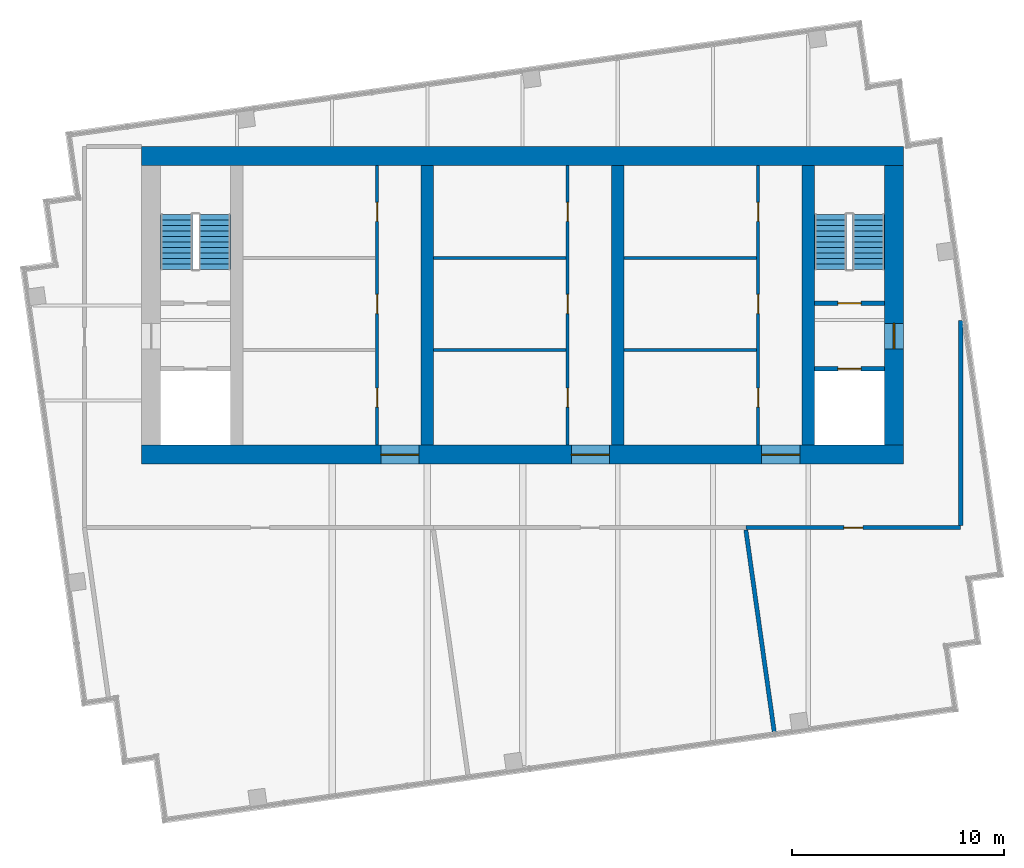
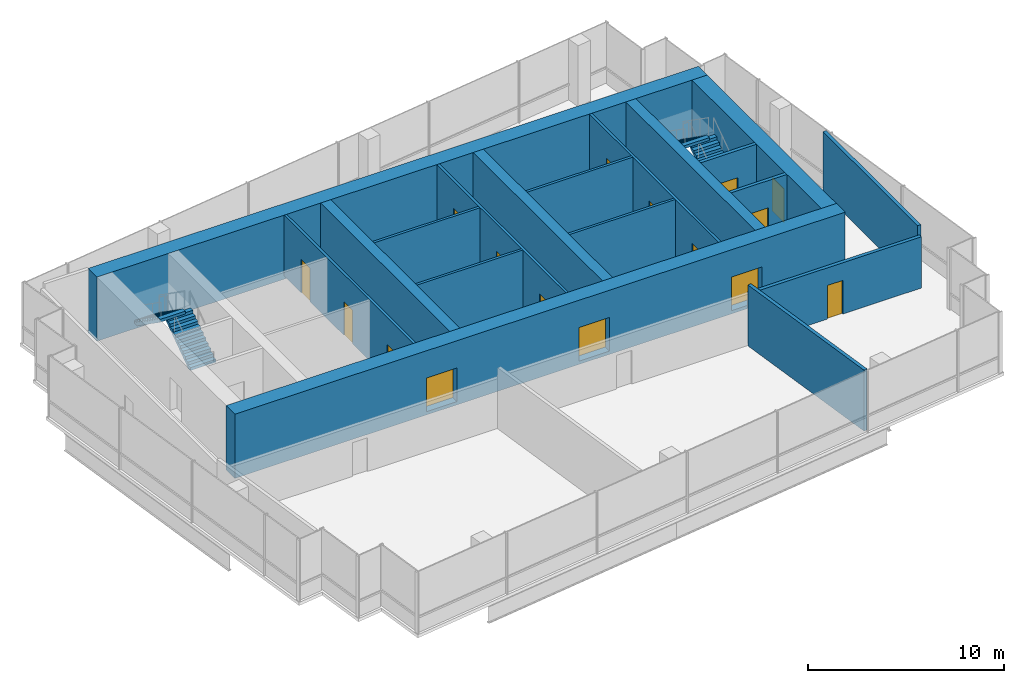
# One storey, part 8 of 9: 18 walls, 16 doors, 4 stair flights, 16 openings, 2 elements without a shape of their own.
"""IFC4 building model written with IfcOpenShell, lengths in metres."""

from ifc_helpers import new_model, si_unit, direction, frame, frame_2d, origin, place, context, subcontext, project, spatial, polyline, rectangle, outline, extrude, material, layer, layer_set, type_object, element, fill, aggregate, save


model = new_model("IFC4")

# Units and contexts
model_context = context("Model", 3, precision=1e-05, world=origin(), true_north=direction((0.0, 1.0)))
body_context = subcontext(model_context, "Body", "Model", "MODEL_VIEW")
ifc_project = project(units=[si_unit("LENGTHUNIT", "METRE"), si_unit("AREAUNIT", "SQUARE_METRE"), si_unit("VOLUMEUNIT", "CUBIC_METRE"), si_unit("PLANEANGLEUNIT", "RADIAN"), si_unit("MASSUNIT", "GRAM", prefix="KILO")], contexts=[model_context])

# Site, building, storey
site_placement = place(None, origin())
site = spatial("IfcSite", under=ifc_project, at=site_placement, CompositionType="ELEMENT")
building_placement = place(site_placement, origin())
building = spatial("IfcBuilding", under=site, at=building_placement, Name="Rattan Terrace Tower", CompositionType="ELEMENT")
storey_placement = place(building_placement, frame((0.0, 0.0, 296.300048828125)))
storey = spatial("IfcBuildingStorey", under=building, at=storey_placement, Name="C02", CompositionType="ELEMENT", Elevation=296.300048828125)

# Wall, openings, doors
ifc_material_1 = material(Name="Gypsum board partition")
ifc_layer_1 = layer(ifc_material_1, 0.14990234375)
ifc_layer_set_1 = layer_set([ifc_layer_1], Name="Core partition 150")
wall_type_1 = type_object("IfcWallType", Name="Core partition 150", PredefinedType="PARTITIONING", material=ifc_layer_set_1)
wall_1_placement = place(storey_placement, frame((-6.875, -6.60009765625, 0.0), z_axis=(0.0, 0.0, 1.0), x_axis=(0.0, 1.0, 0.0)))
wall_1 = element("IfcWall", 1, at=wall_1_placement, inside=storey, type_object=wall_type_1, Name="Core room wall", PredefinedType="PARTITIONING", context=body_context, shape_type="SweptSolid", body=[
    extrude(rectangle(XDim=13.2001953125, YDim=0.14990234375, at=frame_2d((6.60009765625, 0.0))), origin(), (0.0, 0.0, 1.0), 3.800048828125),
])
opening_1_placement = place(wall_1_placement, frame((1.7939453125, 0.0, 0.0)))
opening_1 = element("IfcOpeningElement", 2, at=opening_1_placement, cuts=wall_1, Name="Opening C02-D005", PredefinedType="OPENING", context=body_context, shape_type="SweptSolid", body=[
    extrude(rectangle(XDim=0.89990234375, YDim=2.10009765625, at=frame_2d((0.449951171875, 1.050048828125))), frame((0.0, 0.08544921875, 0.0), z_axis=(0.0, -1.0, 0.0), x_axis=(1.0, 0.0, 0.0)), (0.0, 0.0, 1.0), 0.1708984375),
])
opening_2_placement = place(wall_1_placement, frame((6.216064453125, 0.0, 0.0)))
opening_2 = element("IfcOpeningElement", 3, at=opening_2_placement, cuts=wall_1, Name="Opening C02-D006", PredefinedType="OPENING", context=body_context, shape_type="SweptSolid", body=[
    extrude(rectangle(XDim=0.89990234375, YDim=2.10009765625, at=frame_2d((0.449951171875, 1.050048828125))), frame((0.0, 0.08544921875, 0.0), z_axis=(0.0, -1.0, 0.0), x_axis=(1.0, 0.0, 0.0)), (0.0, 0.0, 1.0), 0.1708984375),
])
opening_3_placement = place(wall_1_placement, frame((10.572021484375, 0.0, 0.0)))
opening_3 = element("IfcOpeningElement", 4, at=opening_3_placement, cuts=wall_1, Name="Opening C02-D007", PredefinedType="OPENING", context=body_context, shape_type="SweptSolid", body=[
    extrude(rectangle(XDim=0.89990234375, YDim=2.10009765625, at=frame_2d((0.449951171875, 1.050048828125))), frame((0.0, 0.08544921875, 0.0), z_axis=(0.0, -1.0, 0.0), x_axis=(1.0, 0.0, 0.0)), (0.0, 0.0, 1.0), 0.1708984375),
])
ifc_material_2 = material(Name="Hollow-metal fire door leaf")
door_type_1 = type_object("IfcDoorType", Name="Core service room door 900", OperationType="NOTDEFINED", PredefinedType="DOOR", material=ifc_material_2)
door_1_placement = place(opening_1_placement, origin())
door_1 = element("IfcDoor", 5, at=door_1_placement, inside=storey, type_object=door_type_1, Name="Door C02-D005", OperationType="SINGLE_SWING_LEFT", OverallHeight=2.10009765625, OverallWidth=0.89990234375, PredefinedType="DOOR", context=body_context, shape_type="SweptSolid", body=[
    extrude(rectangle(XDim=0.89990234375, YDim=2.10009765625, at=frame_2d((0.449951171875, 1.050048828125))), frame((0.0, 0.02490234375, 0.0), z_axis=(0.0, -1.0, 0.0), x_axis=(1.0, 0.0, 0.0)), (0.0, 0.0, 1.0), 0.050048828125),
])
fill(opening_1, door_1)
door_2_placement = place(opening_2_placement, origin())
door_2 = element("IfcDoor", 6, at=door_2_placement, inside=storey, type_object=door_type_1, Name="Door C02-D006", OperationType="SINGLE_SWING_RIGHT", OverallHeight=2.10009765625, OverallWidth=0.89990234375, PredefinedType="DOOR", context=body_context, shape_type="SweptSolid", body=[
    extrude(rectangle(XDim=0.89990234375, YDim=2.10009765625, at=frame_2d((0.449951171875, 1.050048828125))), frame((0.0, 0.02490234375, 0.0), z_axis=(0.0, -1.0, 0.0), x_axis=(1.0, 0.0, 0.0)), (0.0, 0.0, 1.0), 0.050048828125),
])
fill(opening_2, door_2)
door_3_placement = place(opening_3_placement, origin())
door_3 = element("IfcDoor", 7, at=door_3_placement, inside=storey, type_object=door_type_1, Name="Door C02-D007", OperationType="SINGLE_SWING_LEFT", OverallHeight=2.10009765625, OverallWidth=0.89990234375, PredefinedType="DOOR", context=body_context, shape_type="SweptSolid", body=[
    extrude(rectangle(XDim=0.89990234375, YDim=2.10009765625, at=frame_2d((0.449951171875, 1.050048828125))), frame((0.0, 0.02490234375, 0.0), z_axis=(0.0, -1.0, 0.0), x_axis=(1.0, 0.0, 0.0)), (0.0, 0.0, 1.0), 0.050048828125),
])
fill(opening_3, door_3)

wall_2_placement = place(storey_placement, frame((2.125, -6.60009765625, 0.0), z_axis=(0.0, 0.0, 1.0), x_axis=(0.0, 1.0, 0.0)))
wall_2 = element("IfcWall", 8, at=wall_2_placement, inside=storey, type_object=wall_type_1, Name="Core room wall", PredefinedType="PARTITIONING", context=body_context, shape_type="SweptSolid", body=[
    extrude(rectangle(XDim=13.2001953125, YDim=0.14990234375, at=frame_2d((6.60009765625, 0.0))), origin(), (0.0, 0.0, 1.0), 3.800048828125),
])
opening_4_placement = place(wall_2_placement, frame((1.7939453125, 0.0, 0.0)))
opening_4 = element("IfcOpeningElement", 9, at=opening_4_placement, cuts=wall_2, Name="Opening C02-D009", PredefinedType="OPENING", context=body_context, shape_type="SweptSolid", body=[
    extrude(rectangle(XDim=0.89990234375, YDim=2.10009765625, at=frame_2d((0.449951171875, 1.050048828125))), frame((0.0, 0.08544921875, 0.0), z_axis=(0.0, -1.0, 0.0), x_axis=(1.0, 0.0, 0.0)), (0.0, 0.0, 1.0), 0.1708984375),
])
opening_5_placement = place(wall_2_placement, frame((6.216064453125, 0.0, 0.0)))
opening_5 = element("IfcOpeningElement", 10, at=opening_5_placement, cuts=wall_2, Name="Opening C02-D010", PredefinedType="OPENING", context=body_context, shape_type="SweptSolid", body=[
    extrude(rectangle(XDim=0.89990234375, YDim=2.10009765625, at=frame_2d((0.449951171875, 1.050048828125))), frame((0.0, 0.08544921875, 0.0), z_axis=(0.0, -1.0, 0.0), x_axis=(1.0, 0.0, 0.0)), (0.0, 0.0, 1.0), 0.1708984375),
])
opening_6_placement = place(wall_2_placement, frame((10.572021484375, 0.0, 0.0)))
opening_6 = element("IfcOpeningElement", 11, at=opening_6_placement, cuts=wall_2, Name="Opening C02-D011", PredefinedType="OPENING", context=body_context, shape_type="SweptSolid", body=[
    extrude(rectangle(XDim=0.89990234375, YDim=2.10009765625, at=frame_2d((0.449951171875, 1.050048828125))), frame((0.0, 0.08544921875, 0.0), z_axis=(0.0, -1.0, 0.0), x_axis=(1.0, 0.0, 0.0)), (0.0, 0.0, 1.0), 0.1708984375),
])
door_4_placement = place(opening_4_placement, origin())
door_4 = element("IfcDoor", 12, at=door_4_placement, inside=storey, type_object=door_type_1, Name="Door C02-D009", OperationType="SINGLE_SWING_LEFT", OverallHeight=2.10009765625, OverallWidth=0.89990234375, PredefinedType="DOOR", context=body_context, shape_type="SweptSolid", body=[
    extrude(rectangle(XDim=0.89990234375, YDim=2.10009765625, at=frame_2d((0.449951171875, 1.050048828125))), frame((0.0, 0.02490234375, 0.0), z_axis=(0.0, -1.0, 0.0), x_axis=(1.0, 0.0, 0.0)), (0.0, 0.0, 1.0), 0.050048828125),
])
fill(opening_4, door_4)
door_5_placement = place(opening_5_placement, origin())
door_5 = element("IfcDoor", 13, at=door_5_placement, inside=storey, type_object=door_type_1, Name="Door C02-D010", OperationType="SINGLE_SWING_RIGHT", OverallHeight=2.10009765625, OverallWidth=0.89990234375, PredefinedType="DOOR", context=body_context, shape_type="SweptSolid", body=[
    extrude(rectangle(XDim=0.89990234375, YDim=2.10009765625, at=frame_2d((0.449951171875, 1.050048828125))), frame((0.0, 0.02490234375, 0.0), z_axis=(0.0, -1.0, 0.0), x_axis=(1.0, 0.0, 0.0)), (0.0, 0.0, 1.0), 0.050048828125),
])
fill(opening_5, door_5)
door_6_placement = place(opening_6_placement, origin())
door_6 = element("IfcDoor", 14, at=door_6_placement, inside=storey, type_object=door_type_1, Name="Door C02-D011", OperationType="SINGLE_SWING_LEFT", OverallHeight=2.10009765625, OverallWidth=0.89990234375, PredefinedType="DOOR", context=body_context, shape_type="SweptSolid", body=[
    extrude(rectangle(XDim=0.89990234375, YDim=2.10009765625, at=frame_2d((0.449951171875, 1.050048828125))), frame((0.0, 0.02490234375, 0.0), z_axis=(0.0, -1.0, 0.0), x_axis=(1.0, 0.0, 0.0)), (0.0, 0.0, 1.0), 0.050048828125),
])
fill(opening_6, door_6)

# Walls
for number, where, z_axis, x_axis, name in (
    (15, (-4.199951171875, -2.112060546875, 0.0), (0.0, 0.0, 1.0), (1.0, 0.0, 0.0), "Core room wall"),
    (16, (-4.199951171875, 2.243896484375, 0.0), (0.0, 0.0, 1.0), (1.0, 0.0, 0.0), "Core room wall"),
):
    element("IfcWall", number, at=place(storey_placement, frame(where, z_axis=z_axis, x_axis=x_axis)), inside=storey, type_object=wall_type_1, Name=name, PredefinedType="PARTITIONING", context=body_context, shape_type="SweptSolid", body=[
        extrude(rectangle(XDim=6.25, YDim=0.14990234375, at=frame_2d((3.125, 0.0))), origin(), (0.0, 0.0, 1.0), 3.800048828125),
    ])

# Wall, openings, doors
wall_3_placement = place(storey_placement, frame((11.125, -6.60009765625, 0.0), z_axis=(0.0, 0.0, 1.0), x_axis=(0.0, 1.0, 0.0)))
wall_3 = element("IfcWall", 17, at=wall_3_placement, inside=storey, type_object=wall_type_1, Name="Core room wall", PredefinedType="PARTITIONING", context=body_context, shape_type="SweptSolid", body=[
    extrude(rectangle(XDim=13.2001953125, YDim=0.14990234375, at=frame_2d((6.60009765625, 0.0))), origin(), (0.0, 0.0, 1.0), 3.800048828125),
])
opening_7_placement = place(wall_3_placement, frame((1.7939453125, 0.0, 0.0)))
opening_7 = element("IfcOpeningElement", 18, at=opening_7_placement, cuts=wall_3, Name="Opening C02-D013", PredefinedType="OPENING", context=body_context, shape_type="SweptSolid", body=[
    extrude(rectangle(XDim=0.89990234375, YDim=2.10009765625, at=frame_2d((0.449951171875, 1.050048828125))), frame((0.0, 0.08544921875, 0.0), z_axis=(0.0, -1.0, 0.0), x_axis=(1.0, 0.0, 0.0)), (0.0, 0.0, 1.0), 0.1708984375),
])
opening_8_placement = place(wall_3_placement, frame((6.216064453125, 0.0, 0.0)))
opening_8 = element("IfcOpeningElement", 19, at=opening_8_placement, cuts=wall_3, Name="Opening C02-D014", PredefinedType="OPENING", context=body_context, shape_type="SweptSolid", body=[
    extrude(rectangle(XDim=0.89990234375, YDim=2.10009765625, at=frame_2d((0.449951171875, 1.050048828125))), frame((0.0, 0.08544921875, 0.0), z_axis=(0.0, -1.0, 0.0), x_axis=(1.0, 0.0, 0.0)), (0.0, 0.0, 1.0), 0.1708984375),
])
opening_9_placement = place(wall_3_placement, frame((10.572021484375, 0.0, 0.0)))
opening_9 = element("IfcOpeningElement", 20, at=opening_9_placement, cuts=wall_3, Name="Opening C02-D015", PredefinedType="OPENING", context=body_context, shape_type="SweptSolid", body=[
    extrude(rectangle(XDim=0.89990234375, YDim=2.10009765625, at=frame_2d((0.449951171875, 1.050048828125))), frame((0.0, 0.08544921875, 0.0), z_axis=(0.0, -1.0, 0.0), x_axis=(1.0, 0.0, 0.0)), (0.0, 0.0, 1.0), 0.1708984375),
])
door_7_placement = place(opening_7_placement, origin())
door_7 = element("IfcDoor", 21, at=door_7_placement, inside=storey, type_object=door_type_1, Name="Door C02-D013", OperationType="SINGLE_SWING_LEFT", OverallHeight=2.10009765625, OverallWidth=0.89990234375, PredefinedType="DOOR", context=body_context, shape_type="SweptSolid", body=[
    extrude(rectangle(XDim=0.89990234375, YDim=2.10009765625, at=frame_2d((0.449951171875, 1.050048828125))), frame((0.0, 0.02490234375, 0.0), z_axis=(0.0, -1.0, 0.0), x_axis=(1.0, 0.0, 0.0)), (0.0, 0.0, 1.0), 0.050048828125),
])
fill(opening_7, door_7)
door_8_placement = place(opening_8_placement, origin())
door_8 = element("IfcDoor", 22, at=door_8_placement, inside=storey, type_object=door_type_1, Name="Door C02-D014", OperationType="SINGLE_SWING_RIGHT", OverallHeight=2.10009765625, OverallWidth=0.89990234375, PredefinedType="DOOR", context=body_context, shape_type="SweptSolid", body=[
    extrude(rectangle(XDim=0.89990234375, YDim=2.10009765625, at=frame_2d((0.449951171875, 1.050048828125))), frame((0.0, 0.02490234375, 0.0), z_axis=(0.0, -1.0, 0.0), x_axis=(1.0, 0.0, 0.0)), (0.0, 0.0, 1.0), 0.050048828125),
])
fill(opening_8, door_8)
door_9_placement = place(opening_9_placement, origin())
door_9 = element("IfcDoor", 23, at=door_9_placement, inside=storey, type_object=door_type_1, Name="Door C02-D015", OperationType="SINGLE_SWING_LEFT", OverallHeight=2.10009765625, OverallWidth=0.89990234375, PredefinedType="DOOR", context=body_context, shape_type="SweptSolid", body=[
    extrude(rectangle(XDim=0.89990234375, YDim=2.10009765625, at=frame_2d((0.449951171875, 1.050048828125))), frame((0.0, 0.02490234375, 0.0), z_axis=(0.0, -1.0, 0.0), x_axis=(1.0, 0.0, 0.0)), (0.0, 0.0, 1.0), 0.050048828125),
])
fill(opening_9, door_9)

# Walls
for number, where, z_axis, x_axis, name in (
    (24, (4.800048828125, -2.112060546875, 0.0), (0.0, 0.0, 1.0), (1.0, 0.0, 0.0), "Core room wall"),
    (25, (4.800048828125, 2.243896484375, 0.0), (0.0, 0.0, 1.0), (1.0, 0.0, 0.0), "Core room wall"),
):
    element("IfcWall", number, at=place(storey_placement, frame(where, z_axis=z_axis, x_axis=x_axis)), inside=storey, type_object=wall_type_1, Name=name, PredefinedType="PARTITIONING", context=body_context, shape_type="SweptSolid", body=[
        extrude(rectangle(XDim=6.25, YDim=0.14990234375, at=frame_2d((3.125, 0.0))), origin(), (0.0, 0.0, 1.0), 3.800048828125),
    ])

# Wall, opening, door
ifc_material_3 = material(Name="Gypsum board partition")
ifc_layer_2 = layer(ifc_material_3, 0.199951171875)
ifc_layer_set_2 = layer_set([ifc_layer_2], Name="Core partition 200")
wall_type_2 = type_object("IfcWallType", Name="Core partition 200", PredefinedType="PARTITIONING", material=ifc_layer_set_2)
wall_4_placement = place(storey_placement, frame((13.800048828125, -3.0, 0.0), z_axis=(0.0, 0.0, 1.0), x_axis=(1.0, 0.0, 0.0)))
wall_4 = element("IfcWall", 26, at=wall_4_placement, inside=storey, type_object=wall_type_2, Name="Fire-fighting lobby wall", PredefinedType="PARTITIONING", context=body_context, shape_type="SweptSolid", body=[
    extrude(rectangle(XDim=3.300048828125, YDim=0.199951171875, at=frame_2d((1.64990234375, 0.0))), origin(), (0.0, 0.0, 1.0), 3.800048828125),
])
opening_10_placement = place(wall_4_placement, frame((1.10009765625, 0.0, 0.0)))
opening_10 = element("IfcOpeningElement", 27, at=opening_10_placement, cuts=wall_4, Name="Opening C02-LD-FF2", PredefinedType="OPENING", context=body_context, shape_type="SweptSolid", body=[
    extrude(rectangle(XDim=1.10009765625, YDim=2.10009765625, at=frame_2d((0.550048828125, 1.050048828125))), frame((0.0, 0.110595703125, 0.0), z_axis=(0.0, -1.0, 0.0), x_axis=(1.0, 0.0, 0.0)), (0.0, 0.0, 1.0), 0.220947265625),
])
ifc_material_4 = material(Name="Brushed stainless landing door panel")
door_type_2 = type_object("IfcDoorType", Name="Core lift landing door 1100", OperationType="DOUBLE_DOOR_SLIDING", PredefinedType="DOOR", material=ifc_material_4)
door_10_placement = place(opening_10_placement, origin())
door_10 = element("IfcDoor", 28, at=door_10_placement, inside=storey, type_object=door_type_2, Name="Door C02-LD-FF2", OperationType="DOUBLE_DOOR_SLIDING", OverallHeight=2.10009765625, OverallWidth=1.10009765625, PredefinedType="DOOR", context=body_context, shape_type="SweptSolid", body=[
    extrude(rectangle(XDim=1.10009765625, YDim=2.10009765625, at=frame_2d((0.550048828125, 1.050048828125))), frame((0.0, 0.02490234375, 0.0), z_axis=(0.0, -1.0, 0.0), x_axis=(1.0, 0.0, 0.0)), (0.0, 0.0, 1.0), 0.050048828125),
])
fill(opening_10, door_10)

wall_5_placement = place(storey_placement, frame((13.800048828125, 0.10009765625, 0.0), z_axis=(0.0, 0.0, 1.0), x_axis=(1.0, 0.0, 0.0)))
wall_5 = element("IfcWall", 29, at=wall_5_placement, inside=storey, type_object=wall_type_2, Name="Stair enclosure wall", PredefinedType="PARTITIONING", context=body_context, shape_type="SweptSolid", body=[
    extrude(rectangle(XDim=3.300048828125, YDim=0.199951171875, at=frame_2d((1.64990234375, 0.0))), origin(), (0.0, 0.0, 1.0), 3.800048828125),
])
opening_11_placement = place(wall_5_placement, frame((1.10009765625, 0.0, 0.0)))
opening_11 = element("IfcOpeningElement", 30, at=opening_11_placement, cuts=wall_5, Name="Opening C02-D004", PredefinedType="OPENING", context=body_context, shape_type="SweptSolid", body=[
    extrude(rectangle(XDim=1.10009765625, YDim=2.10009765625, at=frame_2d((0.550048828125, 1.050048828125))), frame((0.0, 0.110595703125, 0.0), z_axis=(0.0, -1.0, 0.0), x_axis=(1.0, 0.0, 0.0)), (0.0, 0.0, 1.0), 0.220947265625),
])
ifc_material_5 = material(Name="Hollow-metal fire door leaf")
door_type_3 = type_object("IfcDoorType", Name="Core stair door 1100", OperationType="NOTDEFINED", PredefinedType="DOOR", material=ifc_material_5)
door_11_placement = place(opening_11_placement, origin())
door_11 = element("IfcDoor", 31, at=door_11_placement, inside=storey, type_object=door_type_3, Name="Door C02-D004", OperationType="SINGLE_SWING_RIGHT", OverallHeight=2.10009765625, OverallWidth=1.10009765625, PredefinedType="DOOR", context=body_context, shape_type="SweptSolid", body=[
    extrude(rectangle(XDim=1.10009765625, YDim=2.10009765625, at=frame_2d((0.550048828125, 1.050048828125))), frame((0.0, 0.02490234375, 0.0), z_axis=(0.0, -1.0, 0.0), x_axis=(1.0, 0.0, 0.0)), (0.0, 0.0, 1.0), 0.050048828125),
])
fill(opening_11, door_11)

# Wall, openings, doors
ifc_material_6 = material(Name="Concrete C50/60", Category="concrete")
ifc_layer_3 = layer(ifc_material_6, 0.89990234375)
ifc_layer_set_3 = layer_set([ifc_layer_3], Name="Core ring wall 900 C50/60")
wall_type_3 = type_object("IfcWallType", Name="Core ring wall 900 C50/60", PredefinedType="SHEAR", material=ifc_layer_set_3)
wall_6_placement = place(storey_placement, frame((-18.0, -7.050048828125, -0.199951171875), z_axis=(0.0, 0.0, 1.0), x_axis=(1.0, 0.0, 0.0)))
wall_6 = element("IfcWall", 32, at=wall_6_placement, inside=storey, type_object=wall_type_3, Name="Rear core wall south", PredefinedType="SHEAR", context=body_context, shape_type="SweptSolid", body=[
    extrude(rectangle(XDim=36.0, YDim=0.89990234375, at=frame_2d((18.0, 0.0))), origin(), (0.0, 0.0, 1.0), 4.0),
])
opening_12_placement = place(wall_6_placement, frame((11.300048828125, 0.0, 0.199951171875)))
opening_12 = element("IfcOpeningElement", 33, at=opening_12_placement, cuts=wall_6, Name="Opening C02-D008", PredefinedType="OPENING", context=body_context, shape_type="SweptSolid", body=[
    extrude(rectangle(XDim=1.800048828125, YDim=2.10009765625, at=frame_2d((0.89990234375, 1.050048828125))), frame((0.0, 0.46044921875, 0.0), z_axis=(0.0, -1.0, 0.0), x_axis=(1.0, 0.0, 0.0)), (0.0, 0.0, 1.0), 0.9208984375),
])
opening_13_placement = place(wall_6_placement, frame((20.300048828125, 0.0, 0.199951171875)))
opening_13 = element("IfcOpeningElement", 34, at=opening_13_placement, cuts=wall_6, Name="Opening C02-D012", PredefinedType="OPENING", context=body_context, shape_type="SweptSolid", body=[
    extrude(rectangle(XDim=1.800048828125, YDim=2.10009765625, at=frame_2d((0.89990234375, 1.050048828125))), frame((0.0, 0.46044921875, 0.0), z_axis=(0.0, -1.0, 0.0), x_axis=(1.0, 0.0, 0.0)), (0.0, 0.0, 1.0), 0.9208984375),
])
opening_14_placement = place(wall_6_placement, frame((29.300048828125, 0.0, 0.199951171875)))
opening_14 = element("IfcOpeningElement", 35, at=opening_14_placement, cuts=wall_6, Name="Opening C02-D016", PredefinedType="OPENING", context=body_context, shape_type="SweptSolid", body=[
    extrude(rectangle(XDim=1.800048828125, YDim=2.10009765625, at=frame_2d((0.89990234375, 1.050048828125))), frame((0.0, 0.46044921875, 0.0), z_axis=(0.0, -1.0, 0.0), x_axis=(1.0, 0.0, 0.0)), (0.0, 0.0, 1.0), 0.9208984375),
])
ifc_material_7 = material(Name="Hollow-metal fire door leaf")
door_type_4 = type_object("IfcDoorType", Name="Core service room door 1800", OperationType="NOTDEFINED", PredefinedType="DOOR", material=ifc_material_7)
door_12_placement = place(opening_12_placement, origin())
door_12 = element("IfcDoor", 36, at=door_12_placement, inside=storey, type_object=door_type_4, Name="Door C02-D008", OperationType="SINGLE_SWING_RIGHT", OverallHeight=2.10009765625, OverallWidth=1.800048828125, PredefinedType="DOOR", context=body_context, shape_type="SweptSolid", body=[
    extrude(rectangle(XDim=1.800048828125, YDim=2.10009765625, at=frame_2d((0.89990234375, 1.050048828125))), frame((0.0, 0.02490234375, 0.0), z_axis=(0.0, -1.0, 0.0), x_axis=(1.0, 0.0, 0.0)), (0.0, 0.0, 1.0), 0.050048828125),
])
fill(opening_12, door_12)
door_13_placement = place(opening_13_placement, origin())
door_13 = element("IfcDoor", 37, at=door_13_placement, inside=storey, type_object=door_type_4, Name="Door C02-D012", OperationType="SINGLE_SWING_RIGHT", OverallHeight=2.10009765625, OverallWidth=1.800048828125, PredefinedType="DOOR", context=body_context, shape_type="SweptSolid", body=[
    extrude(rectangle(XDim=1.800048828125, YDim=2.10009765625, at=frame_2d((0.89990234375, 1.050048828125))), frame((0.0, 0.02490234375, 0.0), z_axis=(0.0, -1.0, 0.0), x_axis=(1.0, 0.0, 0.0)), (0.0, 0.0, 1.0), 0.050048828125),
])
fill(opening_13, door_13)
door_14_placement = place(opening_14_placement, origin())
door_14 = element("IfcDoor", 38, at=door_14_placement, inside=storey, type_object=door_type_4, Name="Door C02-D016", OperationType="SINGLE_SWING_RIGHT", OverallHeight=2.10009765625, OverallWidth=1.800048828125, PredefinedType="DOOR", context=body_context, shape_type="SweptSolid", body=[
    extrude(rectangle(XDim=1.800048828125, YDim=2.10009765625, at=frame_2d((0.89990234375, 1.050048828125))), frame((0.0, 0.02490234375, 0.0), z_axis=(0.0, -1.0, 0.0), x_axis=(1.0, 0.0, 0.0)), (0.0, 0.0, 1.0), 0.050048828125),
])
fill(opening_14, door_14)

# Wall
wall_7_placement = place(storey_placement, frame((-18.0, 7.050048828125, -0.199951171875), z_axis=(0.0, 0.0, 1.0), x_axis=(1.0, 0.0, 0.0)))
element("IfcWall", 39, at=wall_7_placement, inside=storey, type_object=wall_type_3, Name="Rear core wall north", PredefinedType="SHEAR", context=body_context, shape_type="SweptSolid", body=[
    extrude(rectangle(XDim=36.0, YDim=0.89990234375, at=frame_2d((18.0, 0.0))), origin(), (0.0, 0.0, 1.0), 4.0),
])

# Wall, opening, door
wall_8_placement = place(storey_placement, frame((17.550048828125, -6.60009765625, -0.199951171875), z_axis=(0.0, 0.0, 1.0), x_axis=(0.0, 1.0, 0.0)))
wall_8 = element("IfcWall", 40, at=wall_8_placement, inside=storey, type_object=wall_type_3, Name="Rear core wall east", PredefinedType="SHEAR", context=body_context, shape_type="SweptSolid", body=[
    extrude(rectangle(XDim=13.2001953125, YDim=0.89990234375, at=frame_2d((6.60009765625, 0.0))), origin(), (0.0, 0.0, 1.0), 4.0),
])
opening_15_placement = place(wall_8_placement, frame((4.550048828125, 0.0, 0.199951171875)))
opening_15 = element("IfcOpeningElement", 41, at=opening_15_placement, cuts=wall_8, Name="Opening C02-D003", PredefinedType="OPENING", context=body_context, shape_type="SweptSolid", body=[
    extrude(rectangle(XDim=1.199951171875, YDim=2.10009765625, at=frame_2d((0.60009765625, 1.050048828125))), frame((0.0, 0.46044921875, 0.0), z_axis=(0.0, -1.0, 0.0), x_axis=(1.0, 0.0, 0.0)), (0.0, 0.0, 1.0), 0.9208984375),
])
ifc_material_8 = material(Name="Hollow-metal fire door leaf")
door_type_5 = type_object("IfcDoorType", Name="Core fire-fighting lobby door 1200", OperationType="NOTDEFINED", PredefinedType="DOOR", material=ifc_material_8)
door_15_placement = place(opening_15_placement, origin())
door_15 = element("IfcDoor", 42, at=door_15_placement, inside=storey, type_object=door_type_5, Name="Door C02-D003", OperationType="SINGLE_SWING_LEFT", OverallHeight=2.10009765625, OverallWidth=1.199951171875, PredefinedType="DOOR", context=body_context, shape_type="SweptSolid", body=[
    extrude(rectangle(XDim=1.199951171875, YDim=2.10009765625, at=frame_2d((0.60009765625, 1.050048828125))), frame((0.0, 0.02490234375, 0.0), z_axis=(0.0, -1.0, 0.0), x_axis=(1.0, 0.0, 0.0)), (0.0, 0.0, 1.0), 0.050048828125),
])
fill(opening_15, door_15)

# Walls
ifc_material_9 = material(Name="Concrete C50/60", Category="concrete")
ifc_layer_4 = layer(ifc_material_9, 0.60009765625)
ifc_layer_set_4 = layer_set([ifc_layer_4], Name="Core spine wall 600 C50/60")
wall_type_4 = type_object("IfcWallType", Name="Core spine wall 600 C50/60", PredefinedType="SHEAR", material=ifc_layer_set_4)
for number, where, z_axis, x_axis, name in (
    (43, (-4.5, -6.60009765625, -0.199951171875), (0.0, 0.0, 1.0), (0.0, 1.0, 0.0), "Core spine wall 2"),
    (44, (4.5, -6.60009765625, -0.199951171875), (0.0, 0.0, 1.0), (0.0, 1.0, 0.0), "Core spine wall 3"),
    (45, (13.5, -6.60009765625, -0.199951171875), (0.0, 0.0, 1.0), (0.0, 1.0, 0.0), "Core spine wall 4"),
):
    element("IfcWall", number, at=place(storey_placement, frame(where, z_axis=z_axis, x_axis=x_axis)), inside=storey, type_object=wall_type_4, Name=name, PredefinedType="SHEAR", context=body_context, shape_type="SweptSolid", body=[
        extrude(rectangle(XDim=13.2001953125, YDim=0.60009765625, at=frame_2d((6.60009765625, 0.0))), origin(), (0.0, 0.0, 1.0), 4.0),
    ])
ifc_material_10 = material(Name="Concrete block wall, plastered", Category="concrete")
ifc_layer_5 = layer(ifc_material_10, 0.199951171875)
ifc_layer_set_5 = layer_set([ifc_layer_5], Name="Floors Plant Wall 200")
wall_type_5 = type_object("IfcWallType", Name="Floors Plant Wall 200", PredefinedType="PARTITIONING", material=ifc_layer_set_5)
wall_9_placement = place(storey_placement, frame((20.698974609375, -0.715087890625, 0.0), z_axis=(0.0, 0.0, 1.0), x_axis=(0.0, -1.0, 0.0)))
element("IfcWall", 46, at=wall_9_placement, inside=storey, type_object=wall_type_5, Name="pt-C02-003", PredefinedType="PARTITIONING", context=body_context, shape_type="SweptSolid", body=[
    extrude(rectangle(XDim=9.684814453125, YDim=0.199951171875, at=frame_2d((4.84228515625, 0.0))), origin(), (0.0, 0.0, 1.0), 3.800048828125),
])

# Wall, opening, door
wall_10_placement = place(storey_placement, frame((20.699951171875, -10.5, 0.0), z_axis=(0.0, 0.0, 1.0), x_axis=(-1.0, 0.0, 0.0)))
wall_10 = element("IfcWall", 47, at=wall_10_placement, inside=storey, type_object=wall_type_5, Name="pt-C02-004", PredefinedType="PARTITIONING", context=body_context, shape_type="SweptSolid", body=[
    extrude(rectangle(XDim=10.14599609375, YDim=0.199951171875, at=frame_2d((5.072998046875, 0.0))), origin(), (0.0, 0.0, 1.0), 3.199951171875),
])
opening_16_placement = place(wall_10_placement, frame((4.623046875, 0.0, 0.0)))
opening_16 = element("IfcOpeningElement", 48, at=opening_16_placement, cuts=wall_10, Name="Opening C02-D102", PredefinedType="OPENING", context=body_context, shape_type="SweptSolid", body=[
    extrude(rectangle(XDim=0.89990234375, YDim=2.10009765625, at=frame_2d((0.449951171875, 1.050048828125))), frame((0.0, 0.110595703125, 0.0), z_axis=(0.0, -1.0, 0.0), x_axis=(1.0, 0.0, 0.0)), (0.0, 0.0, 1.0), 0.220947265625),
])
ifc_material_11 = material(Name="Steel fire door set", Category="steel")
door_type_6 = type_object("IfcDoorType", Name="Floors Fire Door FD60 900x2100", OperationType="NOTDEFINED", PredefinedType="DOOR", material=ifc_material_11)
door_16_placement = place(opening_16_placement, origin())
door_16 = element("IfcDoor", 49, at=door_16_placement, inside=storey, type_object=door_type_6, Name="d-C02-102", OperationType="SINGLE_SWING_LEFT", OverallHeight=2.10009765625, OverallWidth=0.89990234375, PredefinedType="DOOR", context=body_context, shape_type="SweptSolid", body=[
    extrude(rectangle(XDim=0.89990234375, YDim=2.10009765625, at=frame_2d((0.449951171875, 1.050048828125))), frame((0.0, 0.02490234375, 0.0), z_axis=(0.0, -1.0, 0.0), x_axis=(1.0, 0.0, 0.0)), (0.0, 0.0, 1.0), 0.050048828125),
])
fill(opening_16, door_16)

# Wall
wall_11_placement = place(storey_placement, frame((10.550048828125, -10.614013671875, 0.0), z_axis=(0.0, 0.0, 1.0), x_axis=(0.139161669219, -0.990269675301, 0.0)))
element("IfcWall", 50, at=wall_11_placement, inside=storey, type_object=wall_type_5, Name="pt-C02-009", PredefinedType="PARTITIONING", context=body_context, shape_type="SweptSolid", body=[
    extrude(rectangle(XDim=9.63671875, YDim=0.199951171875, at=frame_2d((4.818359375, 0.0))), origin(), (0.0, 0.0, 1.0), 3.800048828125),
])

# Stair, stair flights
ifc_material_12 = material(Name="Concrete C40/50", Category="concrete")
stair_type = type_object("IfcStairType", Name="Core exit stair 1500", PredefinedType="HALF_TURN_STAIR", material=ifc_material_12)
stair_1_placement = place(storey_placement, origin())
stair_1 = element("IfcStair", 51, at=stair_1_placement, inside=storey, type_object=stair_type, Name="C02 exit stair 1", PredefinedType="HALF_TURN_STAIR")
ifc_material_13 = material(Name="Concrete C40/50", Category="concrete")
stair_flight_type = type_object("IfcStairFlightType", Name="Core exit stair flight 1500", PredefinedType="STRAIGHT", material=ifc_material_13)
stair_flight_1_placement = place(storey_placement, frame((-14.550048828125, 1.699951171875, 0.0), z_axis=(0.0, 0.0, 1.0), x_axis=(0.0, 1.0, 0.0)))
stair_flight_1 = element("IfcStairFlight", 52, at=stair_flight_1_placement, type_object=stair_flight_type, Name="S1 flight 1", NumberOfRisers=11, NumberOfTreads=10, PredefinedType="STRAIGHT", RiserHeight=0.181818182, TreadLength=0.26, context=body_context, shape_type="SweptSolid", body=[
    extrude(outline(polyline([(0.0, 0.0), (0.0, 0.181884765625), (0.260009765625, 0.181884765625), (0.260009765625, 0.363525390625), (0.52001953125, 0.363525390625), (0.52001953125, 0.54541015625), (0.780029296875, 0.54541015625), (0.780029296875, 0.727294921875), (1.0400390625, 0.727294921875), (1.0400390625, 0.9091796875), (1.300048828125, 0.9091796875), (1.300048828125, 1.0908203125), (1.56005859375, 1.0908203125), (1.56005859375, 1.272705078125), (1.820068359375, 1.272705078125), (1.820068359375, 1.45458984375), (2.080078125, 1.45458984375), (2.080078125, 1.636474609375), (2.340087890625, 1.636474609375), (2.340087890625, 1.818115234375), (2.60009765625, 1.818115234375), (2.60009765625, 2.0), (2.60009765625, 1.63525390625), (0.261474609375, 0.0), (0.0, 0.0)])), frame((0.0, 0.75, 0.0), z_axis=(0.0, -1.0, 0.0), x_axis=(1.0, 0.0, 0.0)), (0.0, 0.0, 1.0), 1.5),
])
stair_flight_2_placement = place(storey_placement, frame((-16.35009765625, 4.300048828125, 2.0), z_axis=(0.0, 0.0, 1.0), x_axis=(0.0, -1.0, 0.0)))
stair_flight_2 = element("IfcStairFlight", 53, at=stair_flight_2_placement, type_object=stair_flight_type, Name="S1 flight 2", NumberOfRisers=11, NumberOfTreads=10, PredefinedType="STRAIGHT", RiserHeight=0.181818182, TreadLength=0.26, context=body_context, shape_type="SweptSolid", body=[
    extrude(outline(polyline([(0.0, 0.0), (0.0, 0.181884765625), (0.260009765625, 0.181884765625), (0.260009765625, 0.363525390625), (0.52001953125, 0.363525390625), (0.52001953125, 0.54541015625), (0.780029296875, 0.54541015625), (0.780029296875, 0.727294921875), (1.0400390625, 0.727294921875), (1.0400390625, 0.9091796875), (1.300048828125, 0.9091796875), (1.300048828125, 1.0908203125), (1.56005859375, 1.0908203125), (1.56005859375, 1.272705078125), (1.820068359375, 1.272705078125), (1.820068359375, 1.45458984375), (2.080078125, 1.45458984375), (2.080078125, 1.636474609375), (2.340087890625, 1.636474609375), (2.340087890625, 1.818115234375), (2.60009765625, 1.818115234375), (2.60009765625, 2.0), (2.60009765625, 1.63525390625), (0.261474609375, 0.0), (0.0, 0.0)])), frame((0.0, 0.75, 0.0), z_axis=(0.0, -1.0, 0.0), x_axis=(1.0, 0.0, 0.0)), (0.0, 0.0, 1.0), 1.5),
])
aggregate(stair_1, [stair_flight_1, stair_flight_2])

stair_2_placement = place(storey_placement, origin())
stair_2 = element("IfcStair", 54, at=stair_2_placement, inside=storey, type_object=stair_type, Name="C02 exit stair 2", PredefinedType="HALF_TURN_STAIR")
stair_flight_3_placement = place(storey_placement, frame((16.35009765625, 1.699951171875, 0.0), z_axis=(0.0, 0.0, 1.0), x_axis=(0.0, 1.0, 0.0)))
stair_flight_3 = element("IfcStairFlight", 55, at=stair_flight_3_placement, type_object=stair_flight_type, Name="S2 flight 1", NumberOfRisers=11, NumberOfTreads=10, PredefinedType="STRAIGHT", RiserHeight=0.181818182, TreadLength=0.26, context=body_context, shape_type="SweptSolid", body=[
    extrude(outline(polyline([(0.0, 0.0), (0.0, 0.181884765625), (0.260009765625, 0.181884765625), (0.260009765625, 0.363525390625), (0.52001953125, 0.363525390625), (0.52001953125, 0.54541015625), (0.780029296875, 0.54541015625), (0.780029296875, 0.727294921875), (1.0400390625, 0.727294921875), (1.0400390625, 0.9091796875), (1.300048828125, 0.9091796875), (1.300048828125, 1.0908203125), (1.56005859375, 1.0908203125), (1.56005859375, 1.272705078125), (1.820068359375, 1.272705078125), (1.820068359375, 1.45458984375), (2.080078125, 1.45458984375), (2.080078125, 1.636474609375), (2.340087890625, 1.636474609375), (2.340087890625, 1.818115234375), (2.60009765625, 1.818115234375), (2.60009765625, 2.0), (2.60009765625, 1.63525390625), (0.261474609375, 0.0), (0.0, 0.0)])), frame((0.0, 0.75, 0.0), z_axis=(0.0, -1.0, 0.0), x_axis=(1.0, 0.0, 0.0)), (0.0, 0.0, 1.0), 1.5),
])
stair_flight_4_placement = place(storey_placement, frame((14.550048828125, 4.300048828125, 2.0), z_axis=(0.0, 0.0, 1.0), x_axis=(0.0, -1.0, 0.0)))
stair_flight_4 = element("IfcStairFlight", 56, at=stair_flight_4_placement, type_object=stair_flight_type, Name="S2 flight 2", NumberOfRisers=11, NumberOfTreads=10, PredefinedType="STRAIGHT", RiserHeight=0.181818182, TreadLength=0.26, context=body_context, shape_type="SweptSolid", body=[
    extrude(outline(polyline([(0.0, 0.0), (0.0, 0.181884765625), (0.260009765625, 0.181884765625), (0.260009765625, 0.363525390625), (0.52001953125, 0.363525390625), (0.52001953125, 0.54541015625), (0.780029296875, 0.54541015625), (0.780029296875, 0.727294921875), (1.0400390625, 0.727294921875), (1.0400390625, 0.9091796875), (1.300048828125, 0.9091796875), (1.300048828125, 1.0908203125), (1.56005859375, 1.0908203125), (1.56005859375, 1.272705078125), (1.820068359375, 1.272705078125), (1.820068359375, 1.45458984375), (2.080078125, 1.45458984375), (2.080078125, 1.636474609375), (2.340087890625, 1.636474609375), (2.340087890625, 1.818115234375), (2.60009765625, 1.818115234375), (2.60009765625, 2.0), (2.60009765625, 1.63525390625), (0.261474609375, 0.0), (0.0, 0.0)])), frame((0.0, 0.75, 0.0), z_axis=(0.0, -1.0, 0.0), x_axis=(1.0, 0.0, 0.0)), (0.0, 0.0, 1.0), 1.5),
])
aggregate(stair_2, [stair_flight_3, stair_flight_4])

save(model, "model.ifc")
